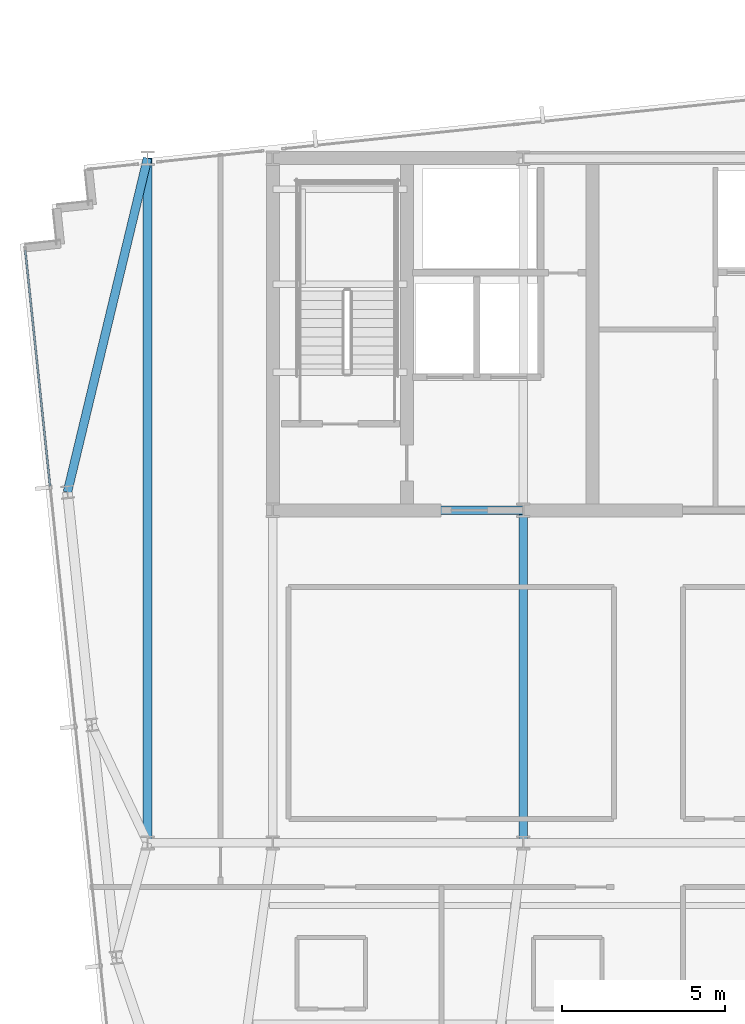
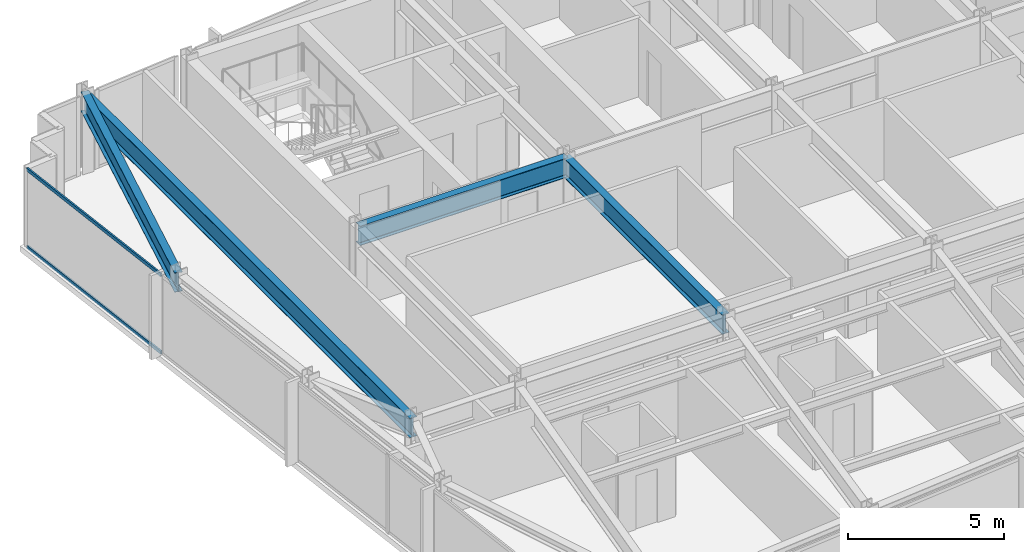
# One storey, part 11 of 33: 4 beams, 2 members, 1 element without a shape of its own.
"""IFC4 building model written with IfcOpenShell, lengths in metres."""

from ifc_helpers import new_model, si_unit, direction, frame, origin, origin_2d, place, context, subcontext, project, spatial, hollow_rectangle, i_section, extrude, material, material_profile, profile_set, type_object, element, aggregate, save


model = new_model("IFC4")

# Units and contexts
model_context = context("Model", 3, precision=1e-05, world=origin(), true_north=direction((0.0, 1.0)))
body_context = subcontext(model_context, "Body", "Model", "MODEL_VIEW")
ifc_project = project(units=[si_unit("LENGTHUNIT", "METRE"), si_unit("AREAUNIT", "SQUARE_METRE"), si_unit("VOLUMEUNIT", "CUBIC_METRE"), si_unit("PLANEANGLEUNIT", "RADIAN"), si_unit("MASSUNIT", "GRAM", prefix="KILO")], contexts=[model_context])

# Site, building, storey
site_placement = place(None, origin())
site = spatial("IfcSite", under=ifc_project, at=site_placement, CompositionType="ELEMENT")
building_placement = place(site_placement, origin())
building = spatial("IfcBuilding", under=site, at=building_placement, Name="Yelkora Congress Tower", CompositionType="ELEMENT")
storey_placement = place(building_placement, frame((0.0, 0.0, 224.300048828125)))
storey = spatial("IfcBuildingStorey", under=building, at=storey_placement, Name="L62", CompositionType="ELEMENT", Elevation=224.300048828125)

# Beams
ifc_material_1 = material(Name="Steel S355J2", Category="steel")
ifc_material_profile_1 = material_profile(ifc_material_1, i_section(OverallWidth=0.26708984375, OverallDepth=0.761962890625, WebThickness=0.014404296875, FlangeThickness=0.021484375, FilletRadius=0.01708984375, at=origin_2d()), Name="IPE 750x173")
ifc_profile_set_1 = profile_set([ifc_material_profile_1], Name="Steel S355J2")
beam_type = type_object("IfcBeamType", Name="BM-GIRD-IPE750", PredefinedType="BEAM", material=ifc_profile_set_1)
beam_1_placement = place(storey_placement, frame((23.0400390625, 35.39990234375, 2.698974609375), z_axis=(1.0, 0.0, 0.0), x_axis=(0.0, 1.0, 0.0)))
element("IfcBeam", 1, at=beam_1_placement, inside=storey, type_object=beam_type, Name="L62 Core South Girder 1", PredefinedType="BEAM", context=body_context, shape_type="SweptSolid", body=[
    extrude(i_section(OverallWidth=0.26708984375, OverallDepth=0.761962890625, WebThickness=0.014404296875, FlangeThickness=0.021484375, FilletRadius=0.01708984375, at=origin_2d()), origin(), (0.0, 0.0, 1.0), 7.679931640625),
])
beam_2_placement = place(storey_placement, frame((30.719970703125, 25.199951171875, 2.698974609375), z_axis=(0.0, 1.0, 0.0), x_axis=(-1.0, 0.0, 0.0)))
element("IfcBeam", 2, at=beam_2_placement, inside=storey, type_object=beam_type, Name="L62 Core Tie Girder MC-D2", PredefinedType="BEAM", context=body_context, shape_type="SweptSolid", body=[
    extrude(i_section(OverallWidth=0.26708984375, OverallDepth=0.761962890625, WebThickness=0.014404296875, FlangeThickness=0.021484375, FilletRadius=0.01708984375, at=origin_2d()), origin(), (0.0, 0.0, 1.0), 10.199951171875),
])
beam_3_placement = place(storey_placement, frame((19.199951171875, 25.199951171875, 2.698974609375), z_axis=(0.0, 1.0, 0.0), x_axis=(-1.0, 0.0, 0.0)))
element("IfcBeam", 3, at=beam_3_placement, inside=storey, type_object=beam_type, Name="L62 Neck Flank Girder MC-F1", PredefinedType="BEAM", context=body_context, shape_type="SweptSolid", body=[
    extrude(i_section(OverallWidth=0.26708984375, OverallDepth=0.761962890625, WebThickness=0.014404296875, FlangeThickness=0.021484375, FilletRadius=0.01708984375, at=origin_2d()), origin(), (0.0, 0.0, 1.0), 21.0),
])
beam_4_placement = place(storey_placement, frame((16.7412109375, 35.95458984375, 2.698974609375), z_axis=(0.233359806768, 0.972390456856, 0.0), x_axis=(-0.972390456856, 0.233359806768, 0.0)))
element("IfcBeam", 4, at=beam_4_placement, inside=storey, type_object=beam_type, Name="L62 Primary Frame Girder W03", PredefinedType="BEAM", context=body_context, shape_type="SweptSolid", body=[
    extrude(i_section(OverallWidth=0.26708984375, OverallDepth=0.761962890625, WebThickness=0.014404296875, FlangeThickness=0.021484375, FilletRadius=0.01708984375, at=origin_2d()), origin(), (0.0, 0.0, 1.0), 10.536376953125),
])

# Curtain wall, members
ifc_material_2 = material(Name="Anodised aluminium and insulated glass", Category="aluminium")
curtain_wall_type = type_object("IfcCurtainWallType", Name="CW-SYS-B4", PredefinedType="NOTDEFINED", material=ifc_material_2)
curtain_wall_placement = place(storey_placement, origin())
curtain_wall = element("IfcCurtainWall", 5, at=curtain_wall_placement, inside=storey, type_object=curtain_wall_type, Name="L62 Unitised Curtain Wall 5", PredefinedType="NOTDEFINED")
ifc_material_3 = material(Name="Anodised aluminium 6063-T6", Category="aluminium")
ifc_material_profile_2 = material_profile(ifc_material_3, hollow_rectangle(XDim=0.06005859375, YDim=0.1298828125, WallThickness=0.00390625, at=origin_2d()), Name="ALU 60x130x4")
ifc_profile_set_2 = profile_set([ifc_material_profile_2], Name="Anodised aluminium 6063-T6")
member_type = type_object("IfcMemberType", Name="MEM-TR-B4", PredefinedType="USERDEFINED", material=ifc_profile_set_2)
member_1_placement = place(storey_placement, frame((16.208984375, 36.137451171875, 0.030029296875), z_axis=(-0.104494567873, 0.994525457334, 0.0), x_axis=(-0.994525457334, -0.104494567873, 0.0)))
member_1 = element("IfcMember", 6, at=member_1_placement, type_object=member_type, Name="CW-B4 transom 4.1", ObjectType="TRANSOM", PredefinedType="USERDEFINED", context=body_context, shape_type="SweptSolid", body=[
    extrude(hollow_rectangle(XDim=0.06005859375, YDim=0.1298828125, WallThickness=0.00390625, at=origin_2d()), origin(), (0.0, 0.0, 1.0), 7.282470703125),
])
member_2_placement = place(storey_placement, frame((16.208984375, 36.137451171875, 3.050048828125), z_axis=(-0.104494567873, 0.994525457334, 0.0), x_axis=(-0.994525457334, -0.104494567873, 0.0)))
member_2 = element("IfcMember", 7, at=member_2_placement, type_object=member_type, Name="CW-B4 transom 4.2", ObjectType="TRANSOM", PredefinedType="USERDEFINED", context=body_context, shape_type="SweptSolid", body=[
    extrude(hollow_rectangle(XDim=0.06005859375, YDim=0.1298828125, WallThickness=0.00390625, at=origin_2d()), origin(), (0.0, 0.0, 1.0), 7.282470703125),
])
aggregate(curtain_wall, [member_1, member_2])

save(model, "model.ifc")
